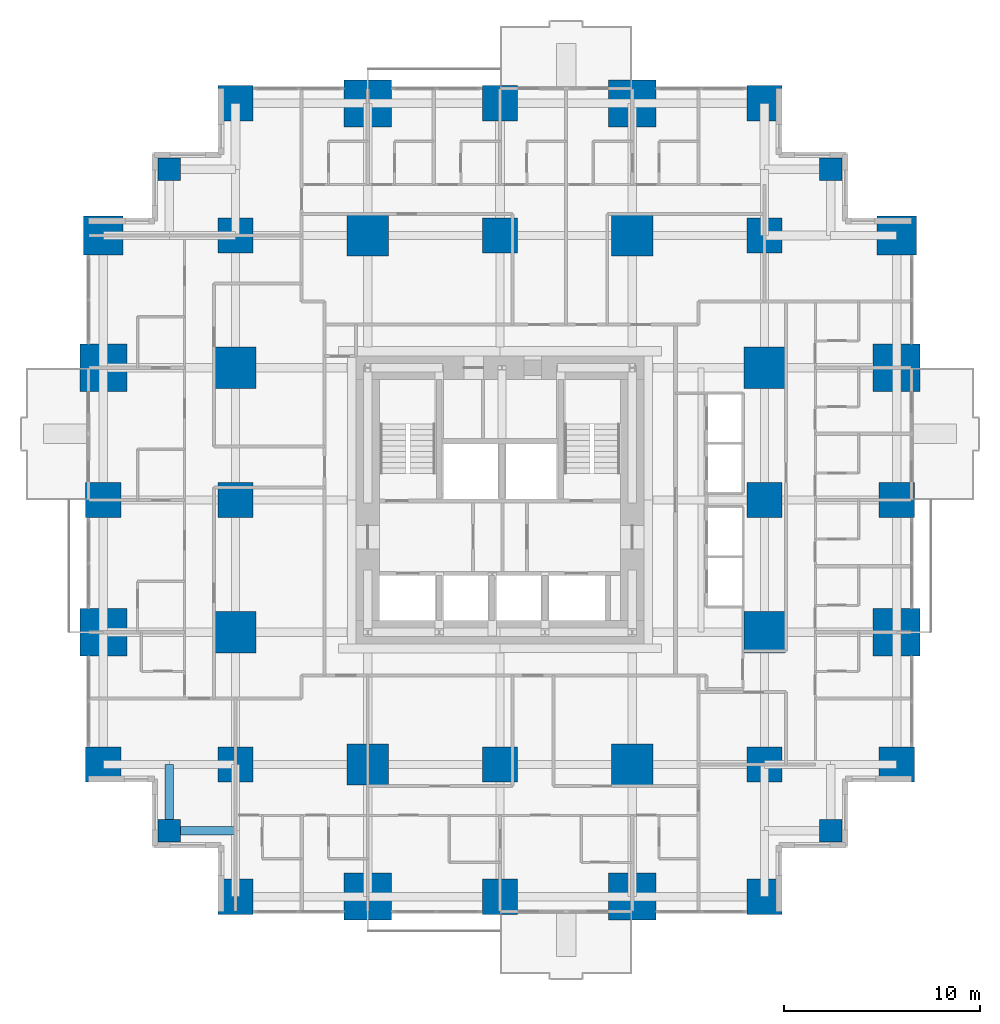
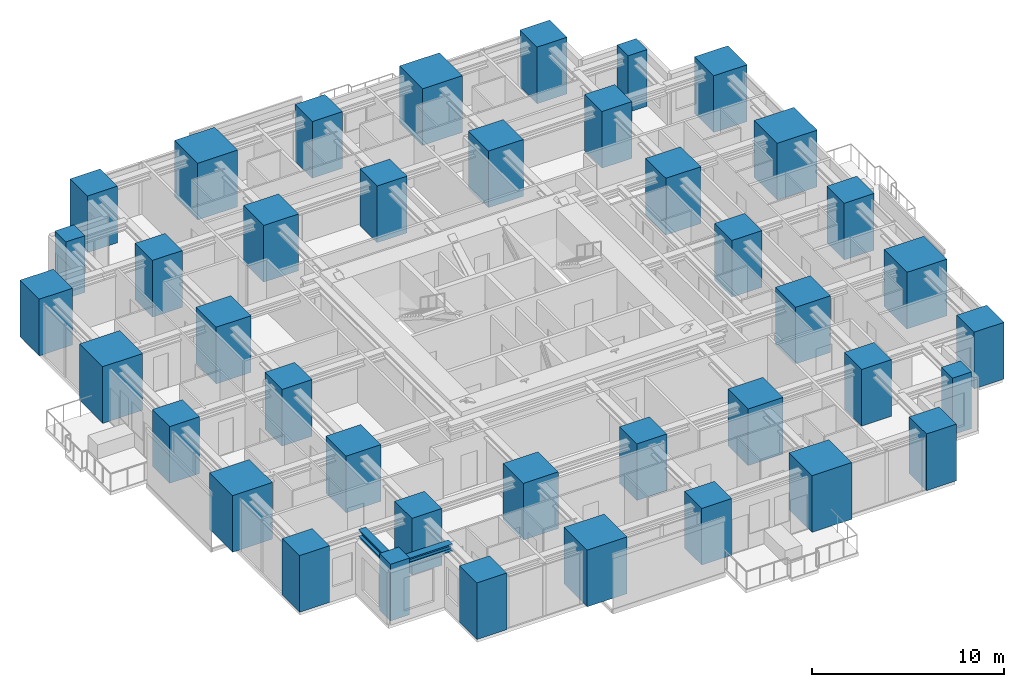
# One storey, part 1 of 15: 40 columns, 2 beams.
"""IFC4 building model written with IfcOpenShell, lengths in metres."""

from ifc_helpers import new_model, si_unit, direction, frame, origin, origin_2d, place, context, subcontext, project, spatial, rectangle, i_section, extrude, material, material_profile, profile_set, type_object, element, save


model = new_model("IFC4")

# Units and contexts
model_context = context("Model", 3, precision=1e-05, world=origin(), true_north=direction((0.0, 1.0)))
body_context = subcontext(model_context, "Body", "Model", "MODEL_VIEW")
ifc_project = project(units=[si_unit("LENGTHUNIT", "METRE"), si_unit("AREAUNIT", "SQUARE_METRE"), si_unit("VOLUMEUNIT", "CUBIC_METRE"), si_unit("PLANEANGLEUNIT", "RADIAN"), si_unit("MASSUNIT", "GRAM", prefix="KILO")], contexts=[model_context])

# Site, building, storey
site_placement = place(None, origin())
site = spatial("IfcSite", under=ifc_project, at=site_placement, CompositionType="ELEMENT")
building_placement = place(site_placement, origin())
building = spatial("IfcBuilding", under=site, at=building_placement, Name="Nyansa Garden Tower", CompositionType="ELEMENT")
storey_placement = place(building_placement, frame((0.0, 0.0, 72.0)))
storey = spatial("IfcBuildingStorey", under=building, at=storey_placement, Name="L19", CompositionType="ELEMENT", Elevation=72.0)

# Columns
ifc_material_1 = material(Name="Concrete C70/85", Category="concrete")
ifc_material_profile_1 = material_profile(ifc_material_1, rectangle(XDim=1.14990234375, YDim=1.14990234375, at=origin_2d()), Name="RC 1150x1150")
ifc_profile_set_1 = profile_set([ifc_material_profile_1], Name="Concrete C70/85")
column_type_1 = type_object("IfcColumnType", Name="Column C115 RC 1150x1150", PredefinedType="COLUMN", material=ifc_profile_set_1)
for number, where, z_axis, x_axis, name in (
    (1, (3.375, 3.375, 0.0), (0.0, 0.0, 1.0), (1.0, 0.0, 0.0), "Column x3.375/y3.375 L19"),
    (2, (3.375, 37.125, 0.0), (0.0, 0.0, 1.0), (1.0, 0.0, 0.0), "Column x3.375/y37.125 L19"),
    (3, (37.125, 3.375, 0.0), (0.0, 0.0, 1.0), (1.0, 0.0, 0.0), "Column x37.125/y3.375 L19"),
    (4, (37.125, 37.125, 0.0), (0.0, 0.0, 1.0), (1.0, 0.0, 0.0), "Column x37.125/y37.125 L19"),
):
    element("IfcColumn", number, at=place(storey_placement, frame(where, z_axis=z_axis, x_axis=x_axis)), inside=storey, type_object=column_type_1, Name=name, PredefinedType="COLUMN", context=body_context, shape_type="SweptSolid", body=[
        extrude(rectangle(XDim=1.14990234375, YDim=1.14990234375, at=origin_2d()), origin(), (0.0, 0.0, 1.0), 3.60009765625),
    ])
ifc_material_2 = material(Name="Concrete C80/95", Category="concrete")
ifc_material_profile_2 = material_profile(ifc_material_2, rectangle(XDim=1.800048828125, YDim=1.800048828125, at=origin_2d()), Name="RC 1800x1800")
ifc_profile_set_2 = profile_set([ifc_material_profile_2], Name="Concrete C80/95")
column_type_2 = type_object("IfcColumnType", Name="Column C180 RC 1800x1800", PredefinedType="COLUMN", material=ifc_profile_set_2)
for number, where, z_axis, x_axis, name in (
    (5, (0.0, 6.75, 0.0), (0.0, 0.0, 1.0), (1.0, 0.0, 0.0), "Column 2/E L19"),
    (6, (0.0, 20.25, 0.0), (0.0, 0.0, 1.0), (1.0, 0.0, 0.0), "Column 2/G L19"),
    (7, (6.75, 0.0, 0.0), (0.0, 0.0, 1.0), (1.0, 0.0, 0.0), "Column 3/D L19"),
    (8, (6.75, 6.75, 0.0), (0.0, 0.0, 1.0), (1.0, 0.0, 0.0), "Column 3/E L19"),
    (9, (6.75, 20.25, 0.0), (0.0, 0.0, 1.0), (1.0, 0.0, 0.0), "Column 3/G L19"),
    (10, (6.75, 33.75, 0.0), (0.0, 0.0, 1.0), (1.0, 0.0, 0.0), "Column 3/J L19"),
    (11, (6.75, 40.5, 0.0), (0.0, 0.0, 1.0), (1.0, 0.0, 0.0), "Column 3/K L19"),
    (12, (20.25, 0.0, 0.0), (0.0, 0.0, 1.0), (1.0, 0.0, 0.0), "Column 5/D L19"),
    (13, (20.25, 6.75, 0.0), (0.0, 0.0, 1.0), (1.0, 0.0, 0.0), "Column 5/E L19"),
    (14, (20.25, 33.75, 0.0), (0.0, 0.0, 1.0), (1.0, 0.0, 0.0), "Column 5/J L19"),
    (15, (20.25, 40.5, 0.0), (0.0, 0.0, 1.0), (1.0, 0.0, 0.0), "Column 5/K L19"),
    (16, (33.75, 0.0, 0.0), (0.0, 0.0, 1.0), (1.0, 0.0, 0.0), "Column 7/D L19"),
    (17, (33.75, 6.75, 0.0), (0.0, 0.0, 1.0), (1.0, 0.0, 0.0), "Column 7/E L19"),
    (18, (33.75, 20.25, 0.0), (0.0, 0.0, 1.0), (1.0, 0.0, 0.0), "Column 7/G L19"),
    (19, (33.75, 33.75, 0.0), (0.0, 0.0, 1.0), (1.0, 0.0, 0.0), "Column 7/J L19"),
    (20, (33.75, 40.5, 0.0), (0.0, 0.0, 1.0), (1.0, 0.0, 0.0), "Column 7/K L19"),
    (21, (40.5, 6.75, 0.0), (0.0, 0.0, 1.0), (1.0, 0.0, 0.0), "Column 8/E L19"),
    (22, (40.5, 20.25, 0.0), (0.0, 0.0, 1.0), (1.0, 0.0, 0.0), "Column 8/G L19"),
):
    element("IfcColumn", number, at=place(storey_placement, frame(where, z_axis=z_axis, x_axis=x_axis)), inside=storey, type_object=column_type_2, Name=name, PredefinedType="COLUMN", context=body_context, shape_type="SweptSolid", body=[
        extrude(rectangle(XDim=1.800048828125, YDim=1.800048828125, at=origin_2d()), origin(), (0.0, 0.0, 1.0), 3.60009765625),
    ])
ifc_material_3 = material(Name="Concrete C80/95", Category="concrete")
ifc_material_profile_3 = material_profile(ifc_material_3, rectangle(XDim=2.0, YDim=2.0, at=origin_2d()), Name="RC 2000x2000")
ifc_profile_set_3 = profile_set([ifc_material_profile_3], Name="Concrete C80/95")
column_type_3 = type_object("IfcColumnType", Name="Column C200 RC 2000x2000", PredefinedType="COLUMN", material=ifc_profile_set_3)
for number, where, z_axis, x_axis, name in (
    (23, (0.0, 33.75, 0.0), (0.0, 0.0, 1.0), (1.0, 0.0, 0.0), "Column 2/J L19"),
    (24, (40.5, 33.75, 0.0), (0.0, 0.0, 1.0), (1.0, 0.0, 0.0), "Column 8/J L19"),
):
    element("IfcColumn", number, at=place(storey_placement, frame(where, z_axis=z_axis, x_axis=x_axis)), inside=storey, type_object=column_type_3, Name=name, PredefinedType="COLUMN", context=body_context, shape_type="SweptSolid", body=[
        extrude(rectangle(XDim=2.0, YDim=2.0, at=origin_2d()), origin(), (0.0, 0.0, 1.0), 3.60009765625),
    ])
ifc_material_4 = material(Name="Concrete C80/95", Category="concrete")
ifc_material_profile_4 = material_profile(ifc_material_4, rectangle(XDim=2.10009765625, YDim=2.10009765625, at=origin_2d()), Name="RC 2100x2100")
ifc_profile_set_4 = profile_set([ifc_material_profile_4], Name="Concrete C80/95")
column_type_4 = type_object("IfcColumnType", Name="Column C210 RC 2100x2100", PredefinedType="COLUMN", material=ifc_profile_set_4)
for number, where, z_axis, x_axis, name in (
    (25, (6.75, 13.5, 0.0), (0.0, 0.0, 1.0), (1.0, 0.0, 0.0), "Column 3/F L19"),
    (26, (6.75, 27.0, 0.0), (0.0, 0.0, 1.0), (1.0, 0.0, 0.0), "Column 3/H L19"),
    (27, (13.5, 6.75, 0.0), (0.0, 0.0, 1.0), (1.0, 0.0, 0.0), "Column 4/E L19"),
    (28, (13.5, 33.75, 0.0), (0.0, 0.0, 1.0), (1.0, 0.0, 0.0), "Column 4/J L19"),
    (29, (27.0, 6.75, 0.0), (0.0, 0.0, 1.0), (1.0, 0.0, 0.0), "Column 6/E L19"),
    (30, (27.0, 33.75, 0.0), (0.0, 0.0, 1.0), (1.0, 0.0, 0.0), "Column 6/J L19"),
    (31, (33.75, 13.5, 0.0), (0.0, 0.0, 1.0), (1.0, 0.0, 0.0), "Column 7/F L19"),
    (32, (33.75, 27.0, 0.0), (0.0, 0.0, 1.0), (1.0, 0.0, 0.0), "Column 7/H L19"),
):
    element("IfcColumn", number, at=place(storey_placement, frame(where, z_axis=z_axis, x_axis=x_axis)), inside=storey, type_object=column_type_4, Name=name, PredefinedType="COLUMN", context=body_context, shape_type="SweptSolid", body=[
        extrude(rectangle(XDim=2.10009765625, YDim=2.10009765625, at=origin_2d()), origin(), (0.0, 0.0, 1.0), 3.60009765625),
    ])
ifc_material_5 = material(Name="Concrete C80/95", Category="concrete")
ifc_material_profile_5 = material_profile(ifc_material_5, rectangle(XDim=2.39990234375, YDim=2.39990234375, at=origin_2d()), Name="RC 2400x2400")
ifc_profile_set_5 = profile_set([ifc_material_profile_5], Name="Concrete C80/95")
column_type_5 = type_object("IfcColumnType", Name="Column C240 RC 2400x2400", PredefinedType="COLUMN", material=ifc_profile_set_5)
for number, where, z_axis, x_axis, name in (
    (33, (0.0, 13.5, 0.0), (0.0, 0.0, 1.0), (1.0, 0.0, 0.0), "Column 2/F L19"),
    (34, (0.0, 27.0, 0.0), (0.0, 0.0, 1.0), (1.0, 0.0, 0.0), "Column 2/H L19"),
    (35, (13.5, 0.0, 0.0), (0.0, 0.0, 1.0), (1.0, 0.0, 0.0), "Column 4/D L19"),
    (36, (13.5, 40.5, 0.0), (0.0, 0.0, 1.0), (1.0, 0.0, 0.0), "Column 4/K L19"),
    (37, (27.0, 0.0, 0.0), (0.0, 0.0, 1.0), (1.0, 0.0, 0.0), "Column 6/D L19"),
    (38, (27.0, 40.5, 0.0), (0.0, 0.0, 1.0), (1.0, 0.0, 0.0), "Column 6/K L19"),
    (39, (40.5, 13.5, 0.0), (0.0, 0.0, 1.0), (1.0, 0.0, 0.0), "Column 8/F L19"),
    (40, (40.5, 27.0, 0.0), (0.0, 0.0, 1.0), (1.0, 0.0, 0.0), "Column 8/H L19"),
):
    element("IfcColumn", number, at=place(storey_placement, frame(where, z_axis=z_axis, x_axis=x_axis)), inside=storey, type_object=column_type_5, Name=name, PredefinedType="COLUMN", context=body_context, shape_type="SweptSolid", body=[
        extrude(rectangle(XDim=2.39990234375, YDim=2.39990234375, at=origin_2d()), origin(), (0.0, 0.0, 1.0), 3.60009765625),
    ])

# Beams
ifc_material_6 = material(Name="Steel S355", Category="steel")
ifc_material_profile_6 = material_profile(ifc_material_6, i_section(OverallWidth=0.431884765625, OverallDepth=0.498046875, WebThickness=0.0556640625, FlangeThickness=0.0888671875, FilletRadius=0.014892578125, at=origin_2d()), Name="HD 400x744")
ifc_profile_set_6 = profile_set([ifc_material_profile_6], Name="Steel S355")
beam_type = type_object("IfcBeamType", Name="Steel beam SSB1-744 HD 400x744", PredefinedType="BEAM", material=ifc_profile_set_6)
for number, where, z_axis, x_axis, name in (
    (41, (3.375, 3.375, 3.051025390625), (0.0, 1.0, 0.0), (-1.0, 0.0, 0.0), "Steel step beam 3.375/3.375 L20"),
    (42, (3.375, 3.375, 3.051025390625), (1.0, 0.0, 0.0), (0.0, 1.0, 0.0), "Steel step beam 3.375/3.375 L20"),
):
    element("IfcBeam", number, at=place(storey_placement, frame(where, z_axis=z_axis, x_axis=x_axis)), inside=storey, type_object=beam_type, Name=name, PredefinedType="BEAM", context=body_context, shape_type="SweptSolid", body=[
        extrude(i_section(OverallWidth=0.431884765625, OverallDepth=0.498046875, WebThickness=0.0556640625, FlangeThickness=0.0888671875, FilletRadius=0.014892578125, at=origin_2d()), origin(), (0.0, 0.0, 1.0), 3.375),
    ])

save(model, "model.ifc")
